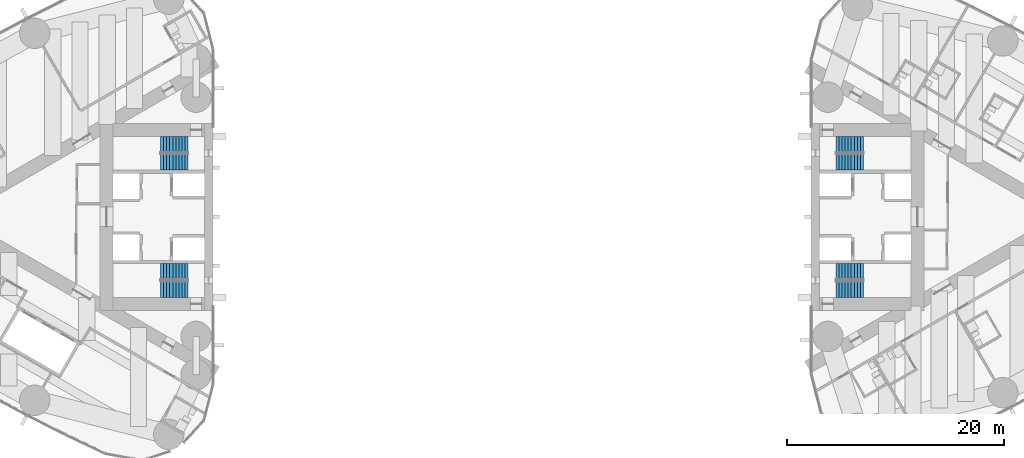
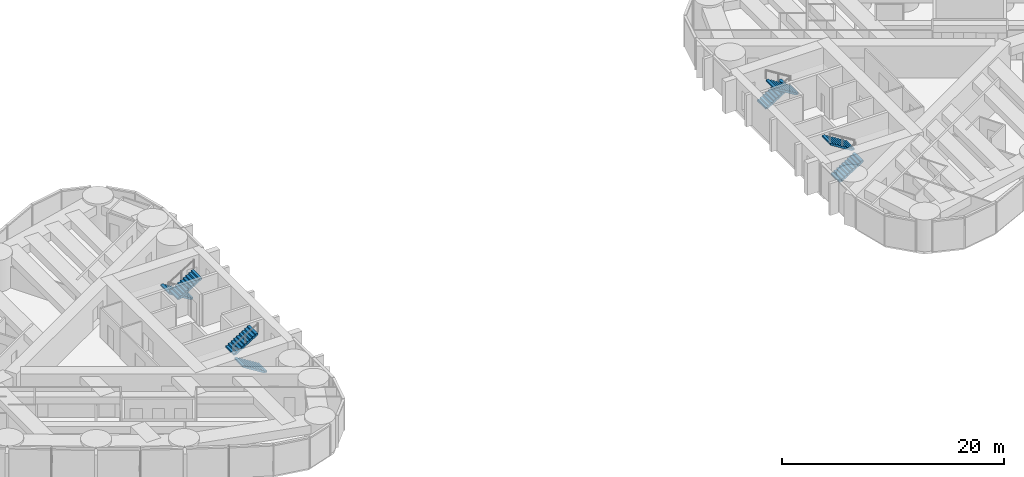
# One storey, part 17 of 19: 8 stair flights, 4 elements without a shape of their own.
"""IFC4 building model written with IfcOpenShell, lengths in metres."""

from ifc_helpers import new_model, si_unit, direction, frame, origin, place, context, subcontext, project, spatial, polyline, outline, extrude, material, type_object, element, aggregate, save


model = new_model("IFC4")

# Units and contexts
model_context = context("Model", 3, precision=1e-05, world=origin(), true_north=direction((0.0, 1.0)))
body_context = subcontext(model_context, "Body", "Model", "MODEL_VIEW")
ifc_project = project(units=[si_unit("LENGTHUNIT", "METRE"), si_unit("AREAUNIT", "SQUARE_METRE"), si_unit("VOLUMEUNIT", "CUBIC_METRE"), si_unit("PLANEANGLEUNIT", "RADIAN"), si_unit("MASSUNIT", "GRAM", prefix="KILO")], contexts=[model_context])

# Site, building, storey
site_placement = place(None, origin())
site = spatial("IfcSite", under=ifc_project, at=site_placement, CompositionType="ELEMENT")
building_placement = place(site_placement, origin())
building = spatial("IfcBuilding", under=site, at=building_placement, Name="Lancet Gate Hotel", CompositionType="ELEMENT")
storey_placement = place(building_placement, frame((0.0, 0.0, 184.300048828125)))
storey = spatial("IfcBuildingStorey", under=building, at=storey_placement, Name="L49", CompositionType="ELEMENT", Elevation=184.300048828125)

# Stair, stair flights
ifc_material_1 = material(Name="Exit stair 20 risers 1500")
stair_type = type_object("IfcStairType", Name="Exit stair 20 risers 1500", PredefinedType="HALF_TURN_STAIR", material=ifc_material_1)
stair_1_placement = place(storey_placement, origin())
stair_1 = element("IfcStair", 1, at=stair_1_placement, inside=storey, type_object=stair_type, Name="T1 stair 1 L49", PredefinedType="HALF_TURN_STAIR")
ifc_material_2 = material(Name="Stair flight 10 risers 175 rise 1500")
stair_flight_type = type_object("IfcStairFlightType", Name="Stair flight 10 risers 175 rise 1500", PredefinedType="STRAIGHT", material=ifc_material_2)
stair_flight_1_placement = place(storey_placement, frame((-29.800048828125, 6.64990234375, 0.0), z_axis=(0.0, 0.0, 1.0), x_axis=(-1.0, 0.0, 0.0)))
stair_flight_1 = element("IfcStairFlight", 2, at=stair_flight_1_placement, type_object=stair_flight_type, Name="ST1 flight 1", NumberOfRisers=10, NumberOfTreads=9, PredefinedType="STRAIGHT", RiserHeight=0.175, TreadLength=0.28, context=body_context, shape_type="SweptSolid", body=[
    extrude(outline(polyline([(0.0, 0.0), (0.0, 0.175048828125), (0.280029296875, 0.175048828125), (0.280029296875, 0.35009765625), (0.56005859375, 0.35009765625), (0.56005859375, 0.52490234375), (0.840087890625, 0.52490234375), (0.840087890625, 0.699951171875), (1.1201171875, 0.699951171875), (1.1201171875, 0.875), (1.39990234375, 0.875), (1.39990234375, 1.050048828125), (1.679931640625, 1.050048828125), (1.679931640625, 1.22509765625), (1.9599609375, 1.22509765625), (1.9599609375, 1.39990234375), (2.239990234375, 1.39990234375), (2.239990234375, 1.574951171875), (2.52001953125, 1.574951171875), (2.52001953125, 1.75), (2.52001953125, 1.398193359375), (0.28271484375, 0.0), (0.0, 0.0)])), frame((0.0, 0.75, 0.0), z_axis=(0.0, -1.0, 0.0), x_axis=(1.0, 0.0, 0.0)), (0.0, 0.0, 1.0), 1.5),
])
stair_flight_2_placement = place(storey_placement, frame((-32.320068359375, 5.050048828125, 1.75), z_axis=(0.0, 0.0, 1.0), x_axis=(1.0, 0.0, 0.0)))
stair_flight_2 = element("IfcStairFlight", 3, at=stair_flight_2_placement, type_object=stair_flight_type, Name="ST1 flight 2", NumberOfRisers=10, NumberOfTreads=9, PredefinedType="STRAIGHT", RiserHeight=0.175, TreadLength=0.28, context=body_context, shape_type="SweptSolid", body=[
    extrude(outline(polyline([(0.0, 0.0), (0.0, 0.175048828125), (0.280029296875, 0.175048828125), (0.280029296875, 0.35009765625), (0.56005859375, 0.35009765625), (0.56005859375, 0.52490234375), (0.840087890625, 0.52490234375), (0.840087890625, 0.699951171875), (1.1201171875, 0.699951171875), (1.1201171875, 0.875), (1.39990234375, 0.875), (1.39990234375, 1.050048828125), (1.679931640625, 1.050048828125), (1.679931640625, 1.22509765625), (1.9599609375, 1.22509765625), (1.9599609375, 1.39990234375), (2.239990234375, 1.39990234375), (2.239990234375, 1.574951171875), (2.52001953125, 1.574951171875), (2.52001953125, 1.75), (2.52001953125, 1.398193359375), (0.28271484375, 0.0), (0.0, 0.0)])), frame((0.0, 0.75, 0.0), z_axis=(0.0, -1.0, 0.0), x_axis=(1.0, 0.0, 0.0)), (0.0, 0.0, 1.0), 1.5),
])
aggregate(stair_1, [stair_flight_1, stair_flight_2])

stair_2_placement = place(storey_placement, origin())
stair_2 = element("IfcStair", 4, at=stair_2_placement, inside=storey, type_object=stair_type, Name="T1 stair 2 L49", PredefinedType="HALF_TURN_STAIR")
stair_flight_3_placement = place(storey_placement, frame((-29.800048828125, -6.64990234375, 0.0), z_axis=(0.0, 0.0, 1.0), x_axis=(-1.0, 0.0, 0.0)))
stair_flight_3 = element("IfcStairFlight", 5, at=stair_flight_3_placement, type_object=stair_flight_type, Name="ST2 flight 1", NumberOfRisers=10, NumberOfTreads=9, PredefinedType="STRAIGHT", RiserHeight=0.175, TreadLength=0.28, context=body_context, shape_type="SweptSolid", body=[
    extrude(outline(polyline([(0.0, 0.0), (0.0, 0.175048828125), (0.280029296875, 0.175048828125), (0.280029296875, 0.35009765625), (0.56005859375, 0.35009765625), (0.56005859375, 0.52490234375), (0.840087890625, 0.52490234375), (0.840087890625, 0.699951171875), (1.1201171875, 0.699951171875), (1.1201171875, 0.875), (1.39990234375, 0.875), (1.39990234375, 1.050048828125), (1.679931640625, 1.050048828125), (1.679931640625, 1.22509765625), (1.9599609375, 1.22509765625), (1.9599609375, 1.39990234375), (2.239990234375, 1.39990234375), (2.239990234375, 1.574951171875), (2.52001953125, 1.574951171875), (2.52001953125, 1.75), (2.52001953125, 1.398193359375), (0.28271484375, 0.0), (0.0, 0.0)])), frame((0.0, 0.75, 0.0), z_axis=(0.0, -1.0, 0.0), x_axis=(1.0, 0.0, 0.0)), (0.0, 0.0, 1.0), 1.5),
])
stair_flight_4_placement = place(storey_placement, frame((-32.320068359375, -5.050048828125, 1.75), z_axis=(0.0, 0.0, 1.0), x_axis=(1.0, 0.0, 0.0)))
stair_flight_4 = element("IfcStairFlight", 6, at=stair_flight_4_placement, type_object=stair_flight_type, Name="ST2 flight 2", NumberOfRisers=10, NumberOfTreads=9, PredefinedType="STRAIGHT", RiserHeight=0.175, TreadLength=0.28, context=body_context, shape_type="SweptSolid", body=[
    extrude(outline(polyline([(0.0, 0.0), (0.0, 0.175048828125), (0.280029296875, 0.175048828125), (0.280029296875, 0.35009765625), (0.56005859375, 0.35009765625), (0.56005859375, 0.52490234375), (0.840087890625, 0.52490234375), (0.840087890625, 0.699951171875), (1.1201171875, 0.699951171875), (1.1201171875, 0.875), (1.39990234375, 0.875), (1.39990234375, 1.050048828125), (1.679931640625, 1.050048828125), (1.679931640625, 1.22509765625), (1.9599609375, 1.22509765625), (1.9599609375, 1.39990234375), (2.239990234375, 1.39990234375), (2.239990234375, 1.574951171875), (2.52001953125, 1.574951171875), (2.52001953125, 1.75), (2.52001953125, 1.398193359375), (0.28271484375, 0.0), (0.0, 0.0)])), frame((0.0, 0.75, 0.0), z_axis=(0.0, -1.0, 0.0), x_axis=(1.0, 0.0, 0.0)), (0.0, 0.0, 1.0), 1.5),
])
aggregate(stair_2, [stair_flight_3, stair_flight_4])

stair_3_placement = place(storey_placement, origin())
stair_3 = element("IfcStair", 7, at=stair_3_placement, inside=storey, type_object=stair_type, Name="T2 stair 1 L49", PredefinedType="HALF_TURN_STAIR")
stair_flight_5_placement = place(storey_placement, frame((29.800048828125, -6.64990234375, 0.0), z_axis=(0.0, 0.0, 1.0), x_axis=(1.0, 0.0, 0.0)))
stair_flight_5 = element("IfcStairFlight", 8, at=stair_flight_5_placement, type_object=stair_flight_type, Name="ST3 flight 1", NumberOfRisers=10, NumberOfTreads=9, PredefinedType="STRAIGHT", RiserHeight=0.175, TreadLength=0.28, context=body_context, shape_type="SweptSolid", body=[
    extrude(outline(polyline([(0.0, 0.0), (0.0, 0.175048828125), (0.280029296875, 0.175048828125), (0.280029296875, 0.35009765625), (0.56005859375, 0.35009765625), (0.56005859375, 0.52490234375), (0.840087890625, 0.52490234375), (0.840087890625, 0.699951171875), (1.1201171875, 0.699951171875), (1.1201171875, 0.875), (1.39990234375, 0.875), (1.39990234375, 1.050048828125), (1.679931640625, 1.050048828125), (1.679931640625, 1.22509765625), (1.9599609375, 1.22509765625), (1.9599609375, 1.39990234375), (2.239990234375, 1.39990234375), (2.239990234375, 1.574951171875), (2.52001953125, 1.574951171875), (2.52001953125, 1.75), (2.52001953125, 1.398193359375), (0.28271484375, 0.0), (0.0, 0.0)])), frame((0.0, 0.75, 0.0), z_axis=(0.0, -1.0, 0.0), x_axis=(1.0, 0.0, 0.0)), (0.0, 0.0, 1.0), 1.5),
])
stair_flight_6_placement = place(storey_placement, frame((32.320068359375, -5.050048828125, 1.75), z_axis=(0.0, 0.0, 1.0), x_axis=(-1.0, 0.0, 0.0)))
stair_flight_6 = element("IfcStairFlight", 9, at=stair_flight_6_placement, type_object=stair_flight_type, Name="ST3 flight 2", NumberOfRisers=10, NumberOfTreads=9, PredefinedType="STRAIGHT", RiserHeight=0.175, TreadLength=0.28, context=body_context, shape_type="SweptSolid", body=[
    extrude(outline(polyline([(0.0, 0.0), (0.0, 0.175048828125), (0.280029296875, 0.175048828125), (0.280029296875, 0.35009765625), (0.56005859375, 0.35009765625), (0.56005859375, 0.52490234375), (0.840087890625, 0.52490234375), (0.840087890625, 0.699951171875), (1.1201171875, 0.699951171875), (1.1201171875, 0.875), (1.39990234375, 0.875), (1.39990234375, 1.050048828125), (1.679931640625, 1.050048828125), (1.679931640625, 1.22509765625), (1.9599609375, 1.22509765625), (1.9599609375, 1.39990234375), (2.239990234375, 1.39990234375), (2.239990234375, 1.574951171875), (2.52001953125, 1.574951171875), (2.52001953125, 1.75), (2.52001953125, 1.398193359375), (0.28271484375, 0.0), (0.0, 0.0)])), frame((0.0, 0.75, 0.0), z_axis=(0.0, -1.0, 0.0), x_axis=(1.0, 0.0, 0.0)), (0.0, 0.0, 1.0), 1.5),
])
aggregate(stair_3, [stair_flight_5, stair_flight_6])

stair_4_placement = place(storey_placement, origin())
stair_4 = element("IfcStair", 10, at=stair_4_placement, inside=storey, type_object=stair_type, Name="T2 stair 2 L49", PredefinedType="HALF_TURN_STAIR")
stair_flight_7_placement = place(storey_placement, frame((29.800048828125, 6.64990234375, 0.0), z_axis=(0.0, 0.0, 1.0), x_axis=(1.0, 0.0, 0.0)))
stair_flight_7 = element("IfcStairFlight", 11, at=stair_flight_7_placement, type_object=stair_flight_type, Name="ST4 flight 1", NumberOfRisers=10, NumberOfTreads=9, PredefinedType="STRAIGHT", RiserHeight=0.175, TreadLength=0.28, context=body_context, shape_type="SweptSolid", body=[
    extrude(outline(polyline([(0.0, 0.0), (0.0, 0.175048828125), (0.280029296875, 0.175048828125), (0.280029296875, 0.35009765625), (0.56005859375, 0.35009765625), (0.56005859375, 0.52490234375), (0.840087890625, 0.52490234375), (0.840087890625, 0.699951171875), (1.1201171875, 0.699951171875), (1.1201171875, 0.875), (1.39990234375, 0.875), (1.39990234375, 1.050048828125), (1.679931640625, 1.050048828125), (1.679931640625, 1.22509765625), (1.9599609375, 1.22509765625), (1.9599609375, 1.39990234375), (2.239990234375, 1.39990234375), (2.239990234375, 1.574951171875), (2.52001953125, 1.574951171875), (2.52001953125, 1.75), (2.52001953125, 1.398193359375), (0.28271484375, 0.0), (0.0, 0.0)])), frame((0.0, 0.75, 0.0), z_axis=(0.0, -1.0, 0.0), x_axis=(1.0, 0.0, 0.0)), (0.0, 0.0, 1.0), 1.5),
])
stair_flight_8_placement = place(storey_placement, frame((32.320068359375, 5.050048828125, 1.75), z_axis=(0.0, 0.0, 1.0), x_axis=(-1.0, 0.0, 0.0)))
stair_flight_8 = element("IfcStairFlight", 12, at=stair_flight_8_placement, type_object=stair_flight_type, Name="ST4 flight 2", NumberOfRisers=10, NumberOfTreads=9, PredefinedType="STRAIGHT", RiserHeight=0.175, TreadLength=0.28, context=body_context, shape_type="SweptSolid", body=[
    extrude(outline(polyline([(0.0, 0.0), (0.0, 0.175048828125), (0.280029296875, 0.175048828125), (0.280029296875, 0.35009765625), (0.56005859375, 0.35009765625), (0.56005859375, 0.52490234375), (0.840087890625, 0.52490234375), (0.840087890625, 0.699951171875), (1.1201171875, 0.699951171875), (1.1201171875, 0.875), (1.39990234375, 0.875), (1.39990234375, 1.050048828125), (1.679931640625, 1.050048828125), (1.679931640625, 1.22509765625), (1.9599609375, 1.22509765625), (1.9599609375, 1.39990234375), (2.239990234375, 1.39990234375), (2.239990234375, 1.574951171875), (2.52001953125, 1.574951171875), (2.52001953125, 1.75), (2.52001953125, 1.398193359375), (0.28271484375, 0.0), (0.0, 0.0)])), frame((0.0, 0.75, 0.0), z_axis=(0.0, -1.0, 0.0), x_axis=(1.0, 0.0, 0.0)), (0.0, 0.0, 1.0), 1.5),
])
aggregate(stair_4, [stair_flight_7, stair_flight_8])

save(model, "model.ifc")
